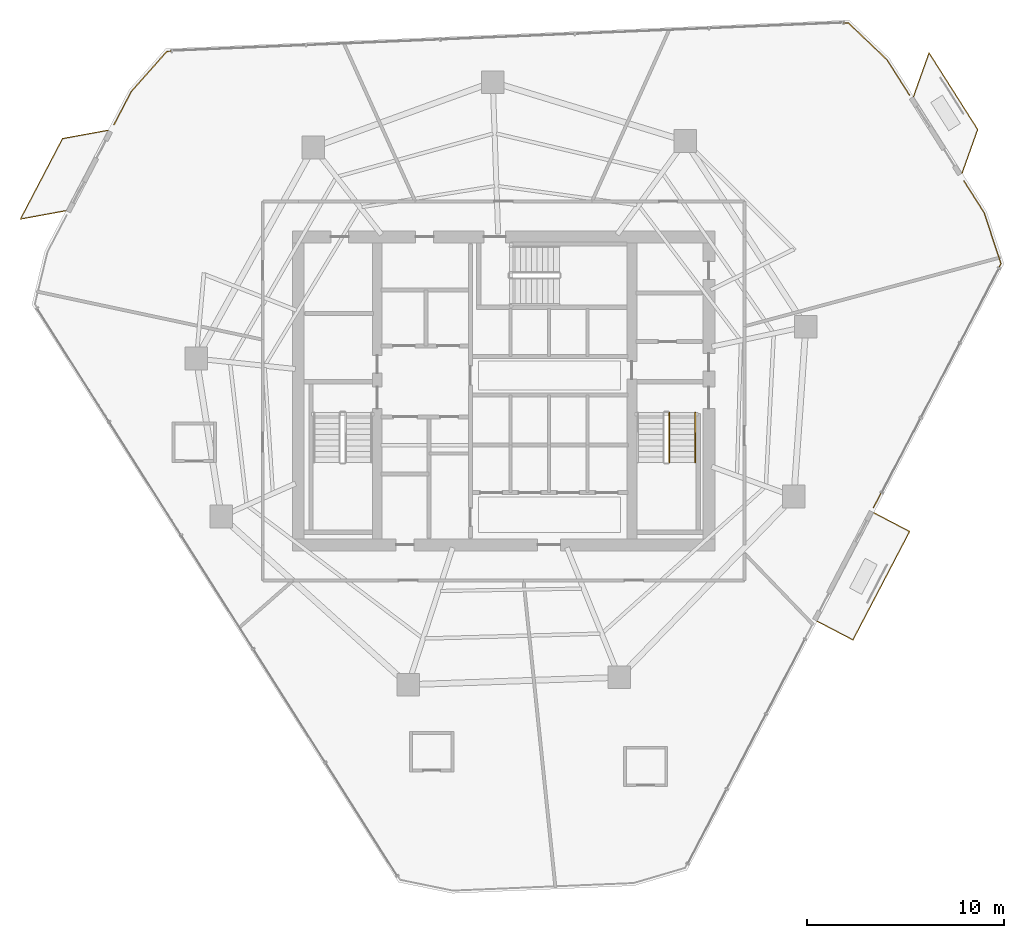
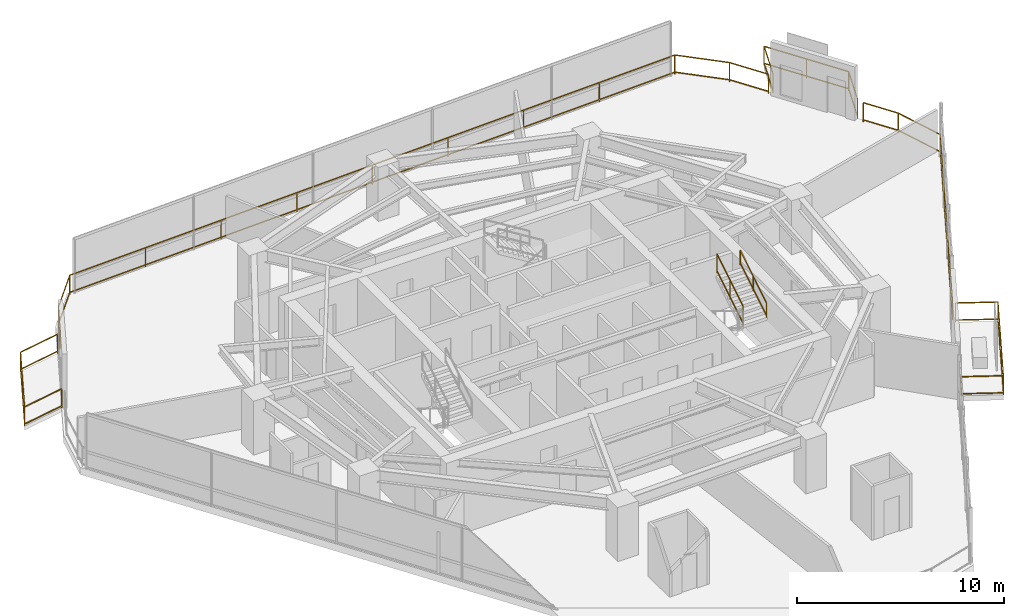
# One storey, part 25 of 25: 8 railings.
"""IFC4 building model written with IfcOpenShell, lengths in metres."""

import ifcopenshell
import ifcopenshell.guid

model = None  # the IFC model being written
_history = None  # IfcOwnerHistory: only IFC2X3 demands one
_inside = {}  # id of a spatial element -> (the spatial element, [elements in it])
_under = {}  # id of a project, library or spatial element -> (it, [spatial elements below it])
_declared = {}  # id of a project -> (the project, [libraries it declares])
_typed = {}  # id of a type object -> (the type object, [elements of that type])
_made_of = {}  # id of a material, layer set ... -> (it, [elements and type objects made of it])


def new_model(schema):
    """Start an empty IFC model of exactly this schema.

    Asked for "IFC4X3", IfcOpenShell would pick the latest addendum, in which some entities
    have other attributes; the version numbers below select the first issue.
    IFC2X3 requires an IfcOwnerHistory on every rooted entity: one is made here for all.
    """
    global model, _history
    if schema == "IFC4X3":
        model = ifcopenshell.file(schema_version=(4, 3, 0, 0))
    else:
        model = ifcopenshell.file(schema=schema)
    _inside.clear()
    _under.clear()
    _declared.clear()
    _typed.clear()
    _made_of.clear()
    _history = None
    if model.schema == "IFC2X3":
        org = make("IfcOrganization", Name="unknown")
        user = make(
            "IfcPersonAndOrganization",
            ThePerson=make("IfcPerson", FamilyName="unknown"),
            TheOrganization=org,
        )
        app = make(
            "IfcApplication",
            ApplicationDeveloper=org,
            Version="unknown",
            ApplicationFullName="unknown",
            ApplicationIdentifier="unknown",
        )
        _history = make(
            "IfcOwnerHistory",
            OwningUser=user,
            OwningApplication=app,
            ChangeAction="ADDED",
            CreationDate=0,
        )
    return model


def make(cls, **values):
    """One entity of the class cls with the attributes given. An attribute that is None is left unset."""
    return model.create_entity(
        cls, **{name: value for name, value in values.items() if value is not None}
    )


def rooted(cls, **values):
    """An entity with a GlobalId (a new one), such as an element, a storey or a relation."""
    return make(cls, GlobalId=ifcopenshell.guid.new(), OwnerHistory=_history, **values)


def si_unit(unit_type, name, prefix=None):
    """IfcSIUnit, for example si_unit("LENGTHUNIT", "METRE", prefix="MILLI")."""
    return make("IfcSIUnit", UnitType=unit_type, Prefix=prefix, Name=name)


def assignment(units):
    """IfcUnitAssignment: the units of a project."""
    return None if units is None else make("IfcUnitAssignment", Units=units)


def point(xyz):
    """IfcCartesianPoint."""
    return None if xyz is None else make("IfcCartesianPoint", Coordinates=xyz)


def direction(xyz):
    """IfcDirection."""
    return None if xyz is None else make("IfcDirection", DirectionRatios=xyz)


def frame(location, z_axis=None, x_axis=None):
    """IfcAxis2Placement3D, a coordinate frame: its origin and axes. An axis left out is left unset."""
    return make(
        "IfcAxis2Placement3D",
        Location=point(location),
        Axis=direction(z_axis),
        RefDirection=direction(x_axis),
    )


def frame_2d(location, x_axis=None):
    """IfcAxis2Placement2D, a coordinate frame in the plane: its origin and x axis."""
    return make(
        "IfcAxis2Placement2D", Location=point(location), RefDirection=direction(x_axis)
    )


def origin():
    """The frame at (0, 0, 0) with its axes left unset."""
    return frame((0.0, 0.0, 0.0))


def origin_2d():
    """The frame at (0, 0) in the plane with its x axis left unset."""
    return frame_2d((0.0, 0.0))


def place(relative_to, where):
    """IfcLocalPlacement: puts the frame where relative to a parent placement (None: the world)."""
    return make(
        "IfcLocalPlacement", PlacementRelTo=relative_to, RelativePlacement=where
    )


def context(
    kind, dimensions, precision=None, world=None, true_north=None, identifier=None
):
    """IfcGeometricRepresentationContext, for example the 3D "Model" context."""
    return make(
        "IfcGeometricRepresentationContext",
        ContextIdentifier=identifier,
        ContextType=kind,
        CoordinateSpaceDimension=dimensions,
        Precision=precision,
        WorldCoordinateSystem=world,
        TrueNorth=true_north,
    )


def subcontext(parent, identifier, kind, view, scale=None):
    """IfcGeometricRepresentationSubContext, for example "Body" below "Model"."""
    return make(
        "IfcGeometricRepresentationSubContext",
        ContextIdentifier=identifier,
        ContextType=kind,
        ParentContext=parent,
        TargetScale=scale,
        TargetView=view,
    )


def project(units=None, contexts=None):
    """IfcProject with its units and contexts."""
    return rooted(
        "IfcProject",
        Name="project",
        RepresentationContexts=contexts,
        UnitsInContext=assignment(units),
    )


def spatial(cls, under=None, at=None, **own):
    """A site, building, storey or space (cls), placed at a placement, below another one or the project."""
    s = rooted(cls, ObjectPlacement=at, **own)
    if under is not None:
        _under.setdefault(under.id(), (under, []))[1].append(s)
    return s


def profile(cls, at=None, kind="AREA", **sizes):
    """A parametric profile (cls). Its sizes go by their IFC names, for example OverallWidth=200.0."""
    return make(cls, ProfileType=kind, Position=at, **sizes)


def rectangle(**sizes):
    """IfcRectangleProfileDef."""
    return profile("IfcRectangleProfileDef", **sizes)


def extrude(swept, where, along, depth):
    """IfcExtrudedAreaSolid: the profile swept, set in the frame where, extruded along a direction by depth."""
    return make(
        "IfcExtrudedAreaSolid",
        SweptArea=swept,
        Position=where,
        ExtrudedDirection=direction(along),
        Depth=depth,
    )


def shape(context_of_items, identifier, shape_type, items):
    """IfcShapeRepresentation: the items that make up one representation, for example the "Body"."""
    return make(
        "IfcShapeRepresentation",
        ContextOfItems=context_of_items,
        RepresentationIdentifier=identifier,
        RepresentationType=shape_type,
        Items=items,
    )


def material(Name=None, Category=None):
    """IfcMaterial."""
    return make("IfcMaterial", Name=Name, Category=Category)


def made_of(thing, what):
    """Note that an element or type object is made of a material, layer set ...; save() writes the relation."""
    if what is not None:
        _made_of.setdefault(what.id(), (what, []))[1].append(thing)
    return thing


def type_object(cls, material=None, **own):
    """A type object (cls), such as IfcWallType, which elements share."""
    return made_of(rooted(cls, **own), material)


def element(
    cls,
    number,
    at=None,
    inside=None,
    cuts=None,
    type_object=None,
    material=None,
    context=None,
    identifier="Body",
    shape_type=None,
    held_by="IfcProductDefinitionShape",
    body=None,
    shapes=None,
    **own,
):
    """One element of the class cls, such as IfcWall. Its Tag is "e" and its number.

    at: its placement. inside: the storey or other place that contains it. cuts: it is an
    opening in that element (IfcRelVoidsElement). A single representation is given by context,
    identifier, shape_type and body (its items); several are given by shapes. held_by: the class
    of the entity that holds the representations. save() writes the other relations.
    """
    e = rooted(cls, Tag="e%d" % number, ObjectPlacement=at, **own)
    if body is not None:
        shapes = [shape(context, identifier, shape_type, body)]
    if shapes is not None:
        e.Representation = make(held_by, Representations=shapes)
    if inside is not None:
        _inside.setdefault(inside.id(), (inside, []))[1].append(e)
    if cuts is not None:
        rooted(
            "IfcRelVoidsElement", RelatingBuildingElement=cuts, RelatedOpeningElement=e
        )
    if type_object is not None:
        _typed.setdefault(type_object.id(), (type_object, []))[1].append(e)
    return made_of(e, material)


def aggregate(whole, parts):
    """IfcRelAggregates: a whole, such as a stair, and the parts it consists of."""
    return rooted("IfcRelAggregates", RelatingObject=whole, RelatedObjects=parts)


def save(model, path):
    """Write the relations noted so far, then the file.

    IfcRelAggregates (storeys below a building ...), IfcRelContainedInSpatialStructure (elements
    in a storey), IfcRelDefinesByType, IfcRelAssociatesMaterial and IfcRelDeclares: one each for
    every whole, place, type object, material and project.
    """
    for whole, parts in _under.values():
        aggregate(whole, parts)
    for where, things in _inside.values():
        rooted(
            "IfcRelContainedInSpatialStructure",
            RelatedElements=things,
            RelatingStructure=where,
        )
    for kind, things in _typed.values():
        rooted("IfcRelDefinesByType", RelatedObjects=things, RelatingType=kind)
    for what, things in _made_of.values():
        rooted("IfcRelAssociatesMaterial", RelatedObjects=things, RelatingMaterial=what)
    for by, libraries in _declared.values():
        rooted("IfcRelDeclares", RelatingContext=by, RelatedDefinitions=libraries)
    model.write(path)


model = new_model("IFC4")

# Units and contexts
model_context = context("Model", 3, precision=1e-05, world=origin(), true_north=direction((0.0, 1.0)))
body_context = subcontext(model_context, "Body", "Model", "MODEL_VIEW")
ifc_project = project(units=[si_unit("LENGTHUNIT", "METRE"), si_unit("AREAUNIT", "SQUARE_METRE"), si_unit("VOLUMEUNIT", "CUBIC_METRE"), si_unit("PLANEANGLEUNIT", "RADIAN"), si_unit("MASSUNIT", "GRAM", prefix="KILO")], contexts=[model_context])

# Site, building, storey
site_placement = place(None, origin())
site = spatial("IfcSite", under=ifc_project, at=site_placement, CompositionType="ELEMENT")
building_placement = place(site_placement, origin())
building = spatial("IfcBuilding", under=site, at=building_placement, Name="Qarnah Convention Tower", CompositionType="ELEMENT")
storey_placement = place(building_placement, frame((0.0, 0.0, 76.35009765625)))
storey = spatial("IfcBuildingStorey", under=building, at=storey_placement, Name="L19", CompositionType="ELEMENT", Elevation=76.35009765625)

# Railings
ifc_material_1 = material(Name="Tempered Low-E dark glass", Category="glass")
railing_type_1 = type_object("IfcRailingType", Name="RL-BALUSTRADE-1150", PredefinedType="BALUSTRADE", material=ifc_material_1)
railing_1_placement = place(storey_placement, frame((55.952880859375, 20.22802734375, 0.0)))
element("IfcRailing", 1, at=railing_1_placement, inside=storey, type_object=railing_type_1, Name="L19 balcony safety guard SG-L19", PredefinedType="BALUSTRADE", context=body_context, shape_type="SweptSolid", body=[
    extrude(rectangle(XDim=0.048095703125, YDim=0.048095703125, at=origin_2d()), frame((0.0, 0.0, 1.1259765625), z_axis=(0.886208778969, -0.463286088804, 0.0), x_axis=(0.463286088804, 0.886208778969, 0.0)), (0.0, 0.0, 1.0), 2.050537109375),
    extrude(rectangle(XDim=0.048095703125, YDim=0.048095703125, at=origin_2d()), frame((0.0, 0.0, 0.1201171875), z_axis=(0.886208778969, -0.463286088804, 0.0), x_axis=(0.463286088804, 0.886208778969, 0.0)), (0.0, 0.0, 1.0), 2.050537109375),
    extrude(rectangle(XDim=0.048095703125, YDim=0.048095703125, at=origin_2d()), frame((1.817138671875, -0.949951171875, 1.1259765625), z_axis=(-0.463206415678, -0.886250425373, 0.0), x_axis=(0.886250425373, -0.463206415678, 0.0)), (0.0, 0.0, 1.0), 6.200439453125),
    extrude(rectangle(XDim=0.048095703125, YDim=0.048095703125, at=origin_2d()), frame((1.817138671875, -0.949951171875, 0.1201171875), z_axis=(-0.463206415678, -0.886250425373, 0.0), x_axis=(0.886250425373, -0.463206415678, 0.0)), (0.0, 0.0, 1.0), 6.200439453125),
    extrude(rectangle(XDim=0.048095703125, YDim=0.048095703125, at=origin_2d()), frame((-1.054931640625, -6.445068359375, 1.1259765625), z_axis=(-0.886183219296, 0.463334978, 0.0), x_axis=(-0.463334978, -0.886183219296, 0.0)), (0.0, 0.0, 1.0), 2.05029296875),
    extrude(rectangle(XDim=0.048095703125, YDim=0.048095703125, at=origin_2d()), frame((-1.054931640625, -6.445068359375, 0.1201171875), z_axis=(-0.886183219296, 0.463334978, 0.0), x_axis=(-0.463334978, -0.886183219296, 0.0)), (0.0, 0.0, 1.0), 2.05029296875),
    extrude(rectangle(XDim=0.0419921875, YDim=0.0419921875, at=origin_2d()), origin(), (0.0, 0.0, 1.0), 1.101806640625),
    extrude(rectangle(XDim=0.0419921875, YDim=0.0419921875, at=origin_2d()), frame((1.817138671875, -0.949951171875, 0.0)), (0.0, 0.0, 1.0), 1.101806640625),
    extrude(rectangle(XDim=0.0419921875, YDim=0.0419921875, at=origin_2d()), frame((0.85986328125, -2.78173828125, 0.0)), (0.0, 0.0, 1.0), 1.101806640625),
    extrude(rectangle(XDim=0.0419921875, YDim=0.0419921875, at=origin_2d()), frame((-0.09765625, -4.61328125, 0.0)), (0.0, 0.0, 1.0), 1.101806640625),
    extrude(rectangle(XDim=0.0419921875, YDim=0.0419921875, at=origin_2d()), frame((-1.054931640625, -6.445068359375, 0.0)), (0.0, 0.0, 1.0), 1.101806640625),
    extrude(rectangle(XDim=0.0419921875, YDim=0.0419921875, at=origin_2d()), frame((-2.871826171875, -5.4951171875, 0.0)), (0.0, 0.0, 1.0), 1.101806640625),
])
ifc_material_2 = material(Name="Black anodised aluminium", Category="aluminium")
railing_type_2 = type_object("IfcRailingType", Name="RL-EXT-GUARD-1150", PredefinedType="GUARDRAIL", material=ifc_material_2)
railing_2_placement = place(storey_placement, frame((56.625, 43.1708984375, 0.0)))
element("IfcRailing", 2, at=railing_2_placement, inside=storey, type_object=railing_type_2, Name="L19 slab-edge perimeter safety guard 01", PredefinedType="GUARDRAIL", context=body_context, shape_type="SweptSolid", body=[
    extrude(rectangle(XDim=0.048095703125, YDim=0.048095703125, at=origin_2d()), frame((0.0, 0.0, 1.1259765625), z_axis=(0.536022521326, -0.844203681958, 0.0), x_axis=(0.844203681958, 0.536022521326, 0.0)), (0.0, 0.0, 1.0), 2.112060546875),
    extrude(rectangle(XDim=0.048095703125, YDim=0.048095703125, at=origin_2d()), frame((0.0, 0.0, 0.1201171875), z_axis=(0.536022521326, -0.844203681958, 0.0), x_axis=(0.844203681958, 0.536022521326, 0.0)), (0.0, 0.0, 1.0), 2.112060546875),
    extrude(rectangle(XDim=0.0419921875, YDim=0.0419921875, at=origin_2d()), origin(), (0.0, 0.0, 1.0), 1.101806640625),
    extrude(rectangle(XDim=0.0419921875, YDim=0.0419921875, at=origin_2d()), frame((1.132080078125, -1.782958984375, 0.0)), (0.0, 0.0, 1.0), 1.101806640625),
])
railing_3_placement = place(storey_placement, frame((60.52099609375, 37.032958984375, 0.0)))
element("IfcRailing", 3, at=railing_3_placement, inside=storey, type_object=railing_type_2, Name="L19 slab-edge perimeter safety guard 02", PredefinedType="GUARDRAIL", context=body_context, shape_type="SweptSolid", body=[
    extrude(rectangle(XDim=0.048095703125, YDim=0.048095703125, at=origin_2d()), frame((0.0, 0.0, 1.1259765625), z_axis=(0.53601104212, -0.844210970507, 0.0), x_axis=(0.844210970507, 0.53601104212, 0.0)), (0.0, 0.0, 1.0), 1.901123046875),
    extrude(rectangle(XDim=0.048095703125, YDim=0.048095703125, at=origin_2d()), frame((0.0, 0.0, 0.1201171875), z_axis=(0.53601104212, -0.844210970507, 0.0), x_axis=(0.844210970507, 0.53601104212, 0.0)), (0.0, 0.0, 1.0), 1.901123046875),
    extrude(rectangle(XDim=0.048095703125, YDim=0.048095703125, at=origin_2d()), frame((1.01904296875, -1.60498046875, 1.1259765625), z_axis=(0.315203842918, -0.94902399201, 0.0), x_axis=(0.94902399201, 0.315203842918, 0.0)), (0.0, 0.0, 1.0), 2.71875),
    extrude(rectangle(XDim=0.048095703125, YDim=0.048095703125, at=origin_2d()), frame((1.01904296875, -1.60498046875, 0.1201171875), z_axis=(0.315203842918, -0.94902399201, 0.0), x_axis=(0.94902399201, 0.315203842918, 0.0)), (0.0, 0.0, 1.0), 2.71875),
    extrude(rectangle(XDim=0.048095703125, YDim=0.048095703125, at=origin_2d()), frame((1.8759765625, -4.18505859375, 1.1259765625), z_axis=(-0.463257333527, -0.886223810859, 0.0), x_axis=(0.886223810859, -0.463257333527, 0.0)), (0.0, 0.0, 1.0), 13.948974609375),
    extrude(rectangle(XDim=0.048095703125, YDim=0.048095703125, at=origin_2d()), frame((1.8759765625, -4.18505859375, 0.1201171875), z_axis=(-0.463257333527, -0.886223810859, 0.0), x_axis=(0.886223810859, -0.463257333527, 0.0)), (0.0, 0.0, 1.0), 13.948974609375),
    extrude(rectangle(XDim=0.0419921875, YDim=0.0419921875, at=origin_2d()), origin(), (0.0, 0.0, 1.0), 1.101806640625),
    extrude(rectangle(XDim=0.0419921875, YDim=0.0419921875, at=origin_2d()), frame((1.01904296875, -1.60498046875, 0.0)), (0.0, 0.0, 1.0), 1.101806640625),
    extrude(rectangle(XDim=0.0419921875, YDim=0.0419921875, at=origin_2d()), frame((1.8759765625, -4.18505859375, 0.0)), (0.0, 0.0, 1.0), 1.101806640625),
    extrude(rectangle(XDim=0.0419921875, YDim=0.0419921875, at=origin_2d()), frame((-0.278076171875, -8.3056640625, 0.0)), (0.0, 0.0, 1.0), 1.101806640625),
    extrude(rectangle(XDim=0.0419921875, YDim=0.0419921875, at=origin_2d()), frame((-2.431884765625, -12.42626953125, 0.0)), (0.0, 0.0, 1.0), 1.101806640625),
    extrude(rectangle(XDim=0.0419921875, YDim=0.0419921875, at=origin_2d()), frame((-4.5859375, -16.546875, 0.0)), (0.0, 0.0, 1.0), 1.101806640625),
])
railing_4_placement = place(storey_placement, frame((17.4619140625, 39.881103515625, 0.0)))
element("IfcRailing", 4, at=railing_4_placement, inside=storey, type_object=railing_type_2, Name="L19 slab-edge perimeter safety guard 04", PredefinedType="GUARDRAIL", context=body_context, shape_type="SweptSolid", body=[
    extrude(rectangle(XDim=0.048095703125, YDim=0.048095703125, at=origin_2d()), frame((0.0, 0.0, 1.1259765625), z_axis=(0.46321067955, 0.886248196811, 0.0), x_axis=(-0.886248196811, 0.46321067955, 0.0)), (0.0, 0.0, 1.0), 1.902099609375),
    extrude(rectangle(XDim=0.048095703125, YDim=0.048095703125, at=origin_2d()), frame((0.0, 0.0, 0.1201171875), z_axis=(0.46321067955, 0.886248196811, 0.0), x_axis=(-0.886248196811, 0.46321067955, 0.0)), (0.0, 0.0, 1.0), 1.902099609375),
    extrude(rectangle(XDim=0.048095703125, YDim=0.048095703125, at=origin_2d()), frame((0.881103515625, 1.685791015625, 1.1259765625), z_axis=(0.663677832192, 0.748018539247, 0.0), x_axis=(-0.748018539247, 0.663677832192, 0.0)), (0.0, 0.0, 1.0), 2.718017578125),
    extrude(rectangle(XDim=0.048095703125, YDim=0.048095703125, at=origin_2d()), frame((0.881103515625, 1.685791015625, 0.1201171875), z_axis=(0.663677832192, 0.748018539247, 0.0), x_axis=(-0.748018539247, 0.663677832192, 0.0)), (0.0, 0.0, 1.0), 2.718017578125),
    extrude(rectangle(XDim=0.048095703125, YDim=0.048095703125, at=origin_2d()), frame((2.68505859375, 3.718994140625, 1.1259765625), z_axis=(0.999123503772, 0.041859577283, 0.0), x_axis=(-0.041859577283, 0.999123503772, 0.0)), (0.0, 0.0, 1.0), 34.539306640625),
    extrude(rectangle(XDim=0.048095703125, YDim=0.048095703125, at=origin_2d()), frame((2.68505859375, 3.718994140625, 0.1201171875), z_axis=(0.999123503772, 0.041859577283, 0.0), x_axis=(-0.041859577283, 0.999123503772, 0.0)), (0.0, 0.0, 1.0), 34.539306640625),
    extrude(rectangle(XDim=0.048095703125, YDim=0.048095703125, at=origin_2d()), frame((37.194091796875, 5.164794921875, 1.1259765625), z_axis=(0.72418063738, -0.68961032797, 0.0), x_axis=(0.68961032797, 0.72418063738, 0.0)), (0.0, 0.0, 1.0), 2.718994140625),
    extrude(rectangle(XDim=0.048095703125, YDim=0.048095703125, at=origin_2d()), frame((37.194091796875, 5.164794921875, 0.1201171875), z_axis=(0.72418063738, -0.68961032797, 0.0), x_axis=(0.68961032797, 0.72418063738, 0.0)), (0.0, 0.0, 1.0), 2.718994140625),
    extrude(rectangle(XDim=0.0419921875, YDim=0.0419921875, at=origin_2d()), origin(), (0.0, 0.0, 1.0), 1.101806640625),
    extrude(rectangle(XDim=0.0419921875, YDim=0.0419921875, at=origin_2d()), frame((0.881103515625, 1.685791015625, 0.0)), (0.0, 0.0, 1.0), 1.101806640625),
    extrude(rectangle(XDim=0.0419921875, YDim=0.0419921875, at=origin_2d()), frame((2.68505859375, 3.718994140625, 0.0)), (0.0, 0.0, 1.0), 1.101806640625),
    extrude(rectangle(XDim=0.0419921875, YDim=0.0419921875, at=origin_2d()), frame((6.998779296875, 3.899658203125, 0.0)), (0.0, 0.0, 1.0), 1.101806640625),
    extrude(rectangle(XDim=0.0419921875, YDim=0.0419921875, at=origin_2d()), frame((11.312255859375, 4.08056640625, 0.0)), (0.0, 0.0, 1.0), 1.101806640625),
    extrude(rectangle(XDim=0.0419921875, YDim=0.0419921875, at=origin_2d()), frame((15.6259765625, 4.26123046875, 0.0)), (0.0, 0.0, 1.0), 1.101806640625),
    extrude(rectangle(XDim=0.0419921875, YDim=0.0419921875, at=origin_2d()), frame((19.939453125, 4.44189453125, 0.0)), (0.0, 0.0, 1.0), 1.101806640625),
    extrude(rectangle(XDim=0.0419921875, YDim=0.0419921875, at=origin_2d()), frame((24.253173828125, 4.62255859375, 0.0)), (0.0, 0.0, 1.0), 1.101806640625),
    extrude(rectangle(XDim=0.0419921875, YDim=0.0419921875, at=origin_2d()), frame((28.56689453125, 4.80322265625, 0.0)), (0.0, 0.0, 1.0), 1.101806640625),
    extrude(rectangle(XDim=0.0419921875, YDim=0.0419921875, at=origin_2d()), frame((32.88037109375, 4.984130859375, 0.0)), (0.0, 0.0, 1.0), 1.101806640625),
    extrude(rectangle(XDim=0.0419921875, YDim=0.0419921875, at=origin_2d()), frame((37.194091796875, 5.164794921875, 0.0)), (0.0, 0.0, 1.0), 1.101806640625),
    extrude(rectangle(XDim=0.0419921875, YDim=0.0419921875, at=origin_2d()), frame((39.1630859375, 3.289794921875, 0.0)), (0.0, 0.0, 1.0), 1.101806640625),
])
railing_5_placement = place(storey_placement, frame((57.964111328125, 41.31298828125, 0.0)))
element("IfcRailing", 5, at=railing_5_placement, inside=storey, type_object=railing_type_2, Name="L19 balcony safety guard BAL-L19-C1", PredefinedType="GUARDRAIL", context=body_context, shape_type="SweptSolid", body=[
    extrude(rectangle(XDim=0.048095703125, YDim=0.048095703125, at=origin_2d()), frame((0.0, 0.0, 1.1259765625), z_axis=(0.33553269021, 0.942028563155, 0.0), x_axis=(-0.942028563155, 0.33553269021, 0.0)), (0.0, 0.0, 1.0), 2.34814453125),
    extrude(rectangle(XDim=0.048095703125, YDim=0.048095703125, at=origin_2d()), frame((0.0, 0.0, 0.1201171875), z_axis=(0.33553269021, 0.942028563155, 0.0), x_axis=(-0.942028563155, 0.33553269021, 0.0)), (0.0, 0.0, 1.0), 2.34814453125),
    extrude(rectangle(XDim=0.048095703125, YDim=0.048095703125, at=origin_2d()), frame((0.787841796875, 2.2119140625, 1.1259765625), z_axis=(0.535882647148, -0.844292478046, 0.0), x_axis=(0.844292478046, 0.535882647148, 0.0)), (0.0, 0.0, 1.0), 4.60009765625),
    extrude(rectangle(XDim=0.048095703125, YDim=0.048095703125, at=origin_2d()), frame((0.787841796875, 2.2119140625, 0.1201171875), z_axis=(0.535882647148, -0.844292478046, 0.0), x_axis=(0.844292478046, 0.535882647148, 0.0)), (0.0, 0.0, 1.0), 4.60009765625),
    extrude(rectangle(XDim=0.048095703125, YDim=0.048095703125, at=origin_2d()), frame((3.2529296875, -1.671875, 1.1259765625), z_axis=(-0.335723598758, -0.941960543355, 0.0), x_axis=(0.941960543355, -0.335723598758, 0.0)), (0.0, 0.0, 1.0), 2.347412109375),
    extrude(rectangle(XDim=0.048095703125, YDim=0.048095703125, at=origin_2d()), frame((3.2529296875, -1.671875, 0.1201171875), z_axis=(-0.335723598758, -0.941960543355, 0.0), x_axis=(0.941960543355, -0.335723598758, 0.0)), (0.0, 0.0, 1.0), 2.347412109375),
    extrude(rectangle(XDim=0.0419921875, YDim=0.0419921875, at=origin_2d()), origin(), (0.0, 0.0, 1.0), 1.101806640625),
    extrude(rectangle(XDim=0.0419921875, YDim=0.0419921875, at=origin_2d()), frame((0.787841796875, 2.2119140625, 0.0)), (0.0, 0.0, 1.0), 1.101806640625),
    extrude(rectangle(XDim=0.0419921875, YDim=0.0419921875, at=origin_2d()), frame((2.0205078125, 0.27001953125, 0.0)), (0.0, 0.0, 1.0), 1.101806640625),
    extrude(rectangle(XDim=0.0419921875, YDim=0.0419921875, at=origin_2d()), frame((3.2529296875, -1.671875, 0.0)), (0.0, 0.0, 1.0), 1.101806640625),
    extrude(rectangle(XDim=0.0419921875, YDim=0.0419921875, at=origin_2d()), frame((2.46484375, -3.883056640625, 0.0)), (0.0, 0.0, 1.0), 1.101806640625),
])
railing_6_placement = place(storey_placement, frame((15.032958984375, 35.527099609375, 0.0)))
element("IfcRailing", 6, at=railing_6_placement, inside=storey, type_object=railing_type_2, Name="L19 balcony safety guard BAL-L19-C2", PredefinedType="GUARDRAIL", context=body_context, shape_type="SweptSolid", body=[
    extrude(rectangle(XDim=0.048095703125, YDim=0.048095703125, at=origin_2d()), frame((0.0, 0.0, 1.1259765625), z_axis=(-0.983547166232, -0.180651520328, 0.0), x_axis=(0.180651520328, -0.983547166232, 0.0)), (0.0, 0.0, 1.0), 2.347412109375),
    extrude(rectangle(XDim=0.048095703125, YDim=0.048095703125, at=origin_2d()), frame((0.0, 0.0, 0.1201171875), z_axis=(-0.983547166232, -0.180651520328, 0.0), x_axis=(0.180651520328, -0.983547166232, 0.0)), (0.0, 0.0, 1.0), 2.347412109375),
    extrude(rectangle(XDim=0.048095703125, YDim=0.048095703125, at=origin_2d()), frame((-2.308837890625, -0.424072265625, 1.1259765625), z_axis=(0.463211579043, 0.886247726677, 0.0), x_axis=(-0.886247726677, 0.463211579043, 0.0)), (0.0, 0.0, 1.0), 4.60009765625),
    extrude(rectangle(XDim=0.048095703125, YDim=0.048095703125, at=origin_2d()), frame((-2.308837890625, -0.424072265625, 0.1201171875), z_axis=(0.463211579043, 0.886247726677, 0.0), x_axis=(-0.886247726677, 0.463211579043, 0.0)), (0.0, 0.0, 1.0), 4.60009765625),
    extrude(rectangle(XDim=0.048095703125, YDim=0.048095703125, at=origin_2d()), frame((-0.177978515625, 3.65283203125, 1.1259765625), z_axis=(0.983624384196, 0.180230604548, 0.0), x_axis=(-0.180230604548, 0.983624384196, 0.0)), (0.0, 0.0, 1.0), 2.347412109375),
    extrude(rectangle(XDim=0.048095703125, YDim=0.048095703125, at=origin_2d()), frame((-0.177978515625, 3.65283203125, 0.1201171875), z_axis=(0.983624384196, 0.180230604548, 0.0), x_axis=(-0.180230604548, 0.983624384196, 0.0)), (0.0, 0.0, 1.0), 2.347412109375),
    extrude(rectangle(XDim=0.0419921875, YDim=0.0419921875, at=origin_2d()), origin(), (0.0, 0.0, 1.0), 1.101806640625),
    extrude(rectangle(XDim=0.0419921875, YDim=0.0419921875, at=origin_2d()), frame((-2.308837890625, -0.424072265625, 0.0)), (0.0, 0.0, 1.0), 1.101806640625),
    extrude(rectangle(XDim=0.0419921875, YDim=0.0419921875, at=origin_2d()), frame((-1.243408203125, 1.6142578125, 0.0)), (0.0, 0.0, 1.0), 1.101806640625),
    extrude(rectangle(XDim=0.0419921875, YDim=0.0419921875, at=origin_2d()), frame((-0.177978515625, 3.65283203125, 0.0)), (0.0, 0.0, 1.0), 1.101806640625),
    extrude(rectangle(XDim=0.0419921875, YDim=0.0419921875, at=origin_2d()), frame((2.131103515625, 4.075927734375, 0.0)), (0.0, 0.0, 1.0), 1.101806640625),
])
ifc_material_3 = material(Name="Structural steel S355JR", Category="steel")
railing_type_3 = type_object("IfcRailingType", Name="RL-STAIR-GUARD-1150", PredefinedType="GUARDRAIL", material=ifc_material_3)
railing_7_placement = place(storey_placement, frame((45.60009765625, 22.780029296875, 1.8974609375)))
element("IfcRailing", 7, at=railing_7_placement, inside=storey, type_object=railing_type_3, Name="L19 ST-2 stair guard 3", PredefinedType="GUARDRAIL", context=body_context, shape_type="SweptSolid", body=[
    extrude(rectangle(XDim=0.048095703125, YDim=0.048095703125, at=origin_2d()), frame((0.0, 0.0, 1.1259765625), z_axis=(0.0, 0.851400495292, 0.524516154772), x_axis=(-1.0, 0.0, 0.0)), (0.0, 0.0, 1.0), 2.9599609375),
    extrude(rectangle(XDim=0.048095703125, YDim=0.048095703125, at=origin_2d()), frame((0.0, 0.0, 0.1201171875), z_axis=(0.0, 0.851400495292, 0.524516154772), x_axis=(-1.0, 0.0, 0.0)), (0.0, 0.0, 1.0), 2.9599609375),
    extrude(rectangle(XDim=0.0419921875, YDim=0.0419921875, at=origin_2d()), origin(), (0.0, 0.0, 1.0), 1.101806640625),
    extrude(rectangle(XDim=0.0419921875, YDim=0.0419921875, at=origin_2d()), frame((0.0, 1.260009765625, 0.7763671875)), (0.0, 0.0, 1.0), 1.101806640625),
    extrude(rectangle(XDim=0.0419921875, YDim=0.0419921875, at=origin_2d()), frame((0.0, 2.52001953125, 1.552490234375)), (0.0, 0.0, 1.0), 1.101806640625),
])
railing_type_4 = type_object("IfcRailingType", Name="RL-STAIR-HAND-900", PredefinedType="HANDRAIL", material=ifc_material_3)
railing_8_placement = place(storey_placement, frame((46.89990234375, 22.780029296875, 1.8974609375)))
element("IfcRailing", 8, at=railing_8_placement, inside=storey, type_object=railing_type_4, Name="L19 ST-2 stair handrail 2", PredefinedType="HANDRAIL", context=body_context, shape_type="SweptSolid", body=[
    extrude(rectangle(XDim=0.048095703125, YDim=0.048095703125, at=origin_2d()), frame((0.0, 0.0, 0.8759765625), z_axis=(0.0, 0.851400495292, 0.524516154772), x_axis=(-1.0, 0.0, 0.0)), (0.0, 0.0, 1.0), 2.9599609375),
    extrude(rectangle(XDim=0.048095703125, YDim=0.048095703125, at=origin_2d()), frame((0.0, 0.0, 0.1201171875), z_axis=(0.0, 0.851400495292, 0.524516154772), x_axis=(-1.0, 0.0, 0.0)), (0.0, 0.0, 1.0), 2.9599609375),
    extrude(rectangle(XDim=0.0419921875, YDim=0.0419921875, at=origin_2d()), origin(), (0.0, 0.0, 1.0), 0.851806640625),
    extrude(rectangle(XDim=0.0419921875, YDim=0.0419921875, at=origin_2d()), frame((0.0, 1.260009765625, 0.7763671875)), (0.0, 0.0, 1.0), 0.851806640625),
    extrude(rectangle(XDim=0.0419921875, YDim=0.0419921875, at=origin_2d()), frame((0.0, 2.52001953125, 1.552490234375)), (0.0, 0.0, 1.0), 0.851806640625),
])

save(model, "model.ifc")
